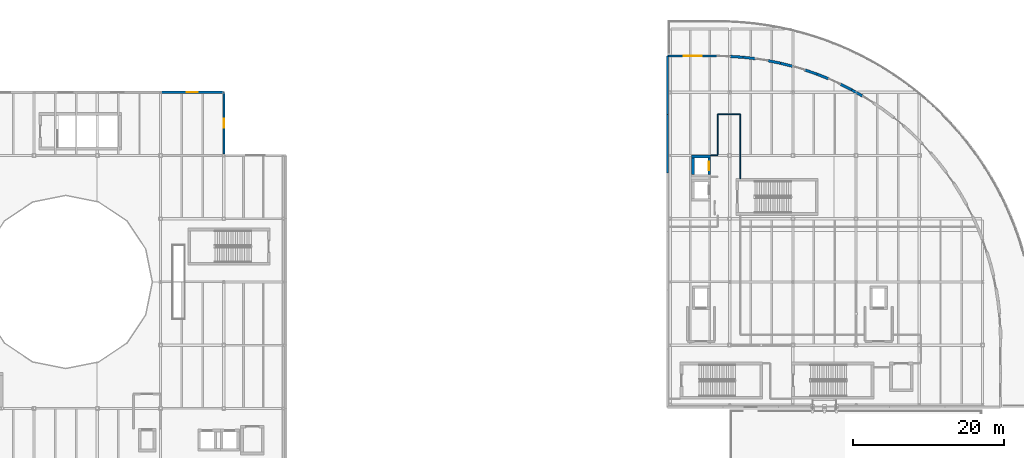
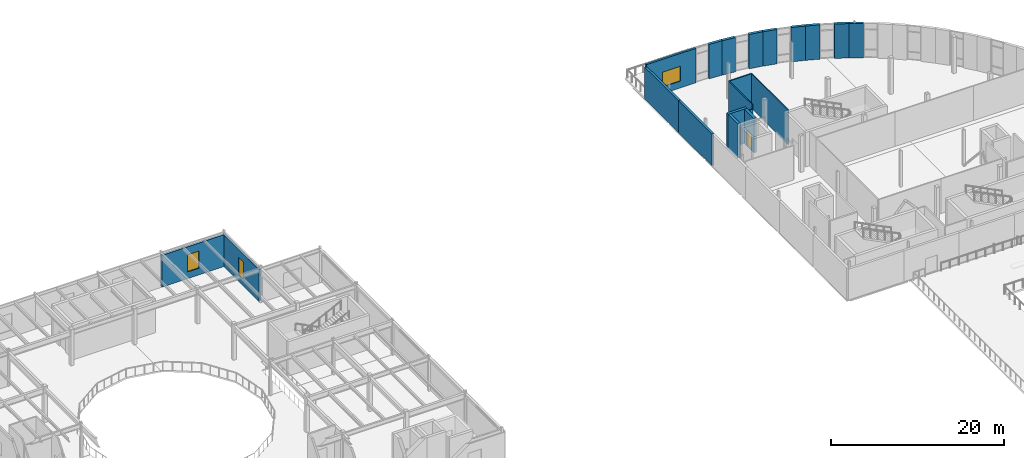
# One storey, part 36 of 57: 20 walls, 3 windows, 1 door, 4 openings.
"""IFC4 building model written with IfcOpenShell, lengths in metres."""

from ifc_helpers import new_model, si_unit, direction, frame, frame_2d, origin, place, context, subcontext, project, spatial, rectangle, extrude, material, layer, layer_set, type_object, element, fill, save


model = new_model("IFC4")

# Units and contexts
model_context = context("Model", 3, precision=1e-05, world=origin(), true_north=direction((0.0, 1.0)))
body_context = subcontext(model_context, "Body", "Model", "MODEL_VIEW")
ifc_project = project(units=[si_unit("LENGTHUNIT", "METRE"), si_unit("AREAUNIT", "SQUARE_METRE"), si_unit("VOLUMEUNIT", "CUBIC_METRE"), si_unit("PLANEANGLEUNIT", "RADIAN"), si_unit("MASSUNIT", "GRAM", prefix="KILO"), si_unit("THERMODYNAMICTEMPERATUREUNIT", "KELVIN")], contexts=[model_context])

# Site, building, storey
site_placement = place(None, origin())
site = spatial("IfcSite", under=ifc_project, at=site_placement, CompositionType="ELEMENT")
building_placement = place(site_placement, origin())
building = spatial("IfcBuilding", under=site, at=building_placement, Name="Lustrewick Department Store", CompositionType="ELEMENT")
storey_placement = place(building_placement, frame((0.0, 0.0, 26.699951171875)))
storey = spatial("IfcBuildingStorey", under=building, at=storey_placement, Name="L06", CompositionType="ELEMENT", Elevation=26.699951171875)

# Wall, opening, window
ifc_material_1 = material(Name="Precast concrete C40", Category="concrete")
ifc_layer_1 = layer(ifc_material_1, 0.260009765625, Name="Precast concrete C40")
ifc_layer_set_1 = layer_set([ifc_layer_1], Name="Precast concrete C40")
wall_type_1 = type_object("IfcWallType", Name="EW02", PredefinedType="STANDARD", material=ifc_layer_set_1)
wall_1_placement = place(storey_placement, frame((50.39990234375, 84.173095703125, 0.0), z_axis=(0.0, 0.0, 1.0), x_axis=(0.0, 1.0, 0.0)))
wall_1 = element("IfcWall", 1, at=wall_1_placement, inside=storey, type_object=wall_type_1, Name="L06 V1 Exterior Wall EW02", PredefinedType="STANDARD", context=body_context, shape_type="SweptSolid", body=[
    extrude(rectangle(XDim=8.226806640625, YDim=0.260009765625, at=frame_2d((4.11328125, 0.0))), origin(), (0.0, 0.0, 1.0), 4.487060546875),
])
opening_1_placement = place(wall_1_placement, frame((3.513427734375, 0.0, 0.949951171875)))
opening_1 = element("IfcOpeningElement", 2, at=opening_1_placement, cuts=wall_1, Name="Opening WN13", PredefinedType="OPENING", context=body_context, shape_type="SweptSolid", body=[
    extrude(rectangle(XDim=1.199951171875, YDim=2.39990234375, at=frame_2d((0.60009765625, 1.199951171875))), frame((0.0, 0.14013671875, 0.0), z_axis=(0.0, -1.0, 0.0), x_axis=(1.0, 0.0, 0.0)), (0.0, 0.0, 1.0), 0.280029296875),
])
ifc_material_2 = material(Name="Thermally broken Low-E triple-glazed window", Category="glass")
window_type_1 = type_object("IfcWindowType", Name="WN13", PartitioningType="DOUBLE_PANEL_VERTICAL", PredefinedType="WINDOW", material=ifc_material_2)
window_1_placement = place(opening_1_placement, origin())
window_1 = element("IfcWindow", 3, at=window_1_placement, inside=storey, type_object=window_type_1, Name="L06 Art Nouveau Window WN13", OverallHeight=2.39990234375, OverallWidth=1.199951171875, PartitioningType="SINGLE_PANEL", PredefinedType="WINDOW", context=body_context, shape_type="SweptSolid", body=[
    extrude(rectangle(XDim=1.199951171875, YDim=2.39990234375, at=frame_2d((0.60009765625, 1.199951171875))), frame((0.0, 0.030029296875, 0.0), z_axis=(0.0, -1.0, 0.0), x_axis=(1.0, 0.0, 0.0)), (0.0, 0.0, 1.0), 0.06005859375),
])
fill(opening_1, window_1)

wall_2_placement = place(storey_placement, frame((116.0, 97.199951171875, 0.0), z_axis=(0.0, 0.0, 1.0), x_axis=(-1.0, 0.0, 0.0)))
wall_2 = element("IfcWall", 4, at=wall_2_placement, inside=storey, type_object=wall_type_1, Name="L06 V4 Exterior Wall EW02", PredefinedType="STANDARD", context=body_context, shape_type="SweptSolid", body=[
    extrude(rectangle(XDim=6.64990234375, YDim=0.260009765625, at=frame_2d((3.324951171875, 0.0))), origin(), (0.0, 0.0, 1.0), 4.844970703125),
])
opening_2_placement = place(wall_2_placement, frame((2.125, 0.0, 0.949951171875)))
opening_2 = element("IfcOpeningElement", 5, at=opening_2_placement, cuts=wall_2, Name="Opening WN12", PredefinedType="OPENING", context=body_context, shape_type="SweptSolid", body=[
    extrude(rectangle(XDim=2.39990234375, YDim=2.10009765625, at=frame_2d((1.199951171875, 1.050048828125))), frame((0.0, 0.14013671875, 0.0), z_axis=(0.0, -1.0, 0.0), x_axis=(1.0, 0.0, 0.0)), (0.0, 0.0, 1.0), 0.280029296875),
])
window_type_2 = type_object("IfcWindowType", Name="WN12", PartitioningType="DOUBLE_PANEL_VERTICAL", PredefinedType="WINDOW", material=ifc_material_2)
window_2_placement = place(opening_2_placement, origin())
window_2 = element("IfcWindow", 6, at=window_2_placement, inside=storey, type_object=window_type_2, Name="L06 Art Nouveau Window WN12", OverallHeight=2.10009765625, OverallWidth=2.39990234375, PartitioningType="SINGLE_PANEL", PredefinedType="WINDOW", context=body_context, shape_type="SweptSolid", body=[
    extrude(rectangle(XDim=2.39990234375, YDim=2.10009765625, at=frame_2d((1.199951171875, 1.050048828125))), frame((0.0, 0.030029296875, 0.0), z_axis=(0.0, -1.0, 0.0), x_axis=(1.0, 0.0, 0.0)), (0.0, 0.0, 1.0), 0.06005859375),
])
fill(opening_2, window_2)

ifc_layer_2 = layer(ifc_material_1, 0.280029296875, Name="Precast concrete C40")
ifc_layer_set_2 = layer_set([ifc_layer_2], Name="Precast concrete C40")
wall_type_2 = type_object("IfcWallType", Name="EW03", PredefinedType="STANDARD", material=ifc_layer_set_2)
wall_3_placement = place(storey_placement, frame((50.39990234375, 92.39990234375, 0.0), z_axis=(0.0, 0.0, 1.0), x_axis=(-1.0, 0.0, 0.0)))
wall_3 = element("IfcWall", 7, at=wall_3_placement, inside=storey, type_object=wall_type_2, Name="L06 V1 Exterior Wall EW03", PredefinedType="STANDARD", context=body_context, shape_type="SweptSolid", body=[
    extrude(rectangle(XDim=8.39990234375, YDim=0.280029296875, at=frame_2d((4.199951171875, 0.0))), origin(), (0.0, 0.0, 1.0), 4.487060546875),
])
opening_3_placement = place(wall_3_placement, frame((3.449951171875, 0.0, 0.949951171875)))
opening_3 = element("IfcOpeningElement", 8, at=opening_3_placement, cuts=wall_3, Name="Opening WN14", PredefinedType="OPENING", context=body_context, shape_type="SweptSolid", body=[
    extrude(rectangle(XDim=1.5, YDim=2.39990234375, at=frame_2d((0.75, 1.199951171875))), frame((0.0, 0.14990234375, 0.0), z_axis=(0.0, -1.0, 0.0), x_axis=(1.0, 0.0, 0.0)), (0.0, 0.0, 1.0), 0.300048828125),
])
window_type_3 = type_object("IfcWindowType", Name="WN14", PartitioningType="DOUBLE_PANEL_VERTICAL", PredefinedType="WINDOW", material=ifc_material_2)
window_3_placement = place(opening_3_placement, origin())
window_3 = element("IfcWindow", 9, at=window_3_placement, inside=storey, type_object=window_type_3, Name="L06 Art Nouveau Window WN14", OverallHeight=2.39990234375, OverallWidth=1.5, PartitioningType="SINGLE_PANEL", PredefinedType="WINDOW", context=body_context, shape_type="SweptSolid", body=[
    extrude(rectangle(XDim=1.5, YDim=2.39990234375, at=frame_2d((0.75, 1.199951171875))), frame((0.0, 0.030029296875, 0.0), z_axis=(0.0, -1.0, 0.0), x_axis=(1.0, 0.0, 0.0)), (0.0, 0.0, 1.0), 0.06005859375),
])
fill(opening_3, window_3)

# Walls
ifc_layer_3 = layer(ifc_material_1, 0.300048828125, Name="Precast concrete C40")
ifc_layer_set_3 = layer_set([ifc_layer_3], Name="Precast concrete C40")
wall_type_3 = type_object("IfcWallType", Name="EW04", PredefinedType="STANDARD", material=ifc_layer_set_3)
wall_4_placement = place(storey_placement, frame((109.35009765625, 97.199951171875, 0.0), z_axis=(0.0, 0.0, 1.0), x_axis=(0.0, -1.0, 0.0)))
element("IfcWall", 10, at=wall_4_placement, inside=storey, type_object=wall_type_3, Name="L06 V4 Exterior Wall EW04", PredefinedType="STANDARD", context=body_context, shape_type="SweptSolid", body=[
    extrude(rectangle(XDim=7.77490234375, YDim=0.300048828125, at=frame_2d((3.887451171875, 0.0))), origin(), (0.0, 0.0, 1.0), 4.487060546875),
])
wall_5_placement = place(storey_placement, frame((109.35009765625, 89.425048828125, 0.0), z_axis=(0.0, 0.0, 1.0), x_axis=(0.0, -1.0, 0.0)))
element("IfcWall", 11, at=wall_5_placement, inside=storey, type_object=wall_type_3, Name="L06 V4 Exterior Wall EW04", PredefinedType="STANDARD", context=body_context, shape_type="SweptSolid", body=[
    extrude(rectangle(XDim=7.775146484375, YDim=0.300048828125, at=frame_2d((3.8876953125, 0.0))), origin(), (0.0, 0.0, 1.0), 4.487060546875),
])
ifc_layer_4 = layer(ifc_material_1, 0.35009765625, Name="Precast concrete C40")
ifc_layer_set_4 = layer_set([ifc_layer_4], Name="Precast concrete C40")
wall_type_4 = type_object("IfcWallType", Name="EW06", PredefinedType="STANDARD", material=ifc_layer_set_4)
for number, where, z_axis, x_axis, name in (
    (12, (135.284912109375, 91.877685546875, 0.0), (0.0, 0.0, 1.0), (-0.86972620146, 0.493534532221, 0.0), "L06 V4 Exterior Wall EW06"),
    (13, (133.8173828125, 92.71044921875, 0.0), (0.0, 0.0, 1.0), (-0.891045018024, 0.453914943414, 0.0), "L06 V4 Exterior Wall EW06"),
    (14, (130.777587890625, 94.17431640625, 0.0), (0.0, 0.0, 1.0), (-0.928106997061, 0.372313580206, 0.0), "L06 V4 Exterior Wall EW06"),
):
    element("IfcWall", number, at=place(storey_placement, frame(where, z_axis=z_axis, x_axis=x_axis)), inside=storey, type_object=wall_type_4, Name=name, PredefinedType="STANDARD", context=body_context, shape_type="SweptSolid", body=[
        extrude(rectangle(XDim=1.687255859375, YDim=0.35009765625, at=frame_2d((0.84375, 0.0))), origin(), (0.0, 0.0, 1.0), 4.844970703125),
    ])
for number, where, z_axis, x_axis, name in (
    (15, (129.211669921875, 94.802490234375, 0.0), (0.0, 0.0, 1.0), (-0.943921497594, 0.330169965897, 0.0), "L06 V4 Exterior Wall EW06"),
    (16, (126.0029296875, 95.844970703125, 0.0), (0.0, 0.0, 1.0), (-0.969681169627, 0.244373544539, 0.0), "L06 V4 Exterior Wall EW06"),
):
    element("IfcWall", number, at=place(storey_placement, frame(where, z_axis=z_axis, x_axis=x_axis)), inside=storey, type_object=wall_type_4, Name=name, PredefinedType="STANDARD", context=body_context, shape_type="SweptSolid", body=[
        extrude(rectangle(XDim=1.6875, YDim=0.35009765625, at=frame_2d((0.84375, 0.0))), origin(), (0.0, 0.0, 1.0), 4.844970703125),
    ])
for number, where, z_axis, x_axis, name in (
    (17, (124.36669921875, 96.25732421875, 0.0), (0.0, 0.0, 1.0), (-0.979685869511, 0.200538268371, 0.0), "L06 V4 Exterior Wall EW06"),
    (18, (121.047119140625, 96.859619140625, 0.0), (0.0, 0.0, 1.0), (-0.993709597753, 0.111987657056, 0.0), "L06 V4 Exterior Wall EW06"),
    (19, (119.370361328125, 97.048583984375, 0.0), (0.0, 0.0, 1.0), (-0.997733639396, 0.067287330286, 0.0), "L06 V4 Exterior Wall EW06"),
):
    element("IfcWall", number, at=place(storey_placement, frame(where, z_axis=z_axis, x_axis=x_axis)), inside=storey, type_object=wall_type_4, Name=name, PredefinedType="STANDARD", context=body_context, shape_type="SweptSolid", body=[
        extrude(rectangle(XDim=1.687255859375, YDim=0.35009765625, at=frame_2d((0.84375, 0.0))), origin(), (0.0, 0.0, 1.0), 4.844970703125),
    ])
ifc_material_3 = material(Name="Acoustic gypsum stud corridor partition", Category="gypsum")
ifc_layer_5 = layer(ifc_material_3, 0.135009765625, Name="Acoustic gypsum stud corridor partition")
ifc_layer_set_5 = layer_set([ifc_layer_5], Name="Acoustic gypsum stud corridor partition")
wall_type_5 = type_object("IfcWallType", Name="PW06", PredefinedType="PARTITIONING", material=ifc_layer_set_5)
wall_6_placement = place(storey_placement, frame((115.06005859375, 84.010009765625, 0.0), z_axis=(0.0, 0.0, 1.0), x_axis=(1.0, 0.0, 0.0)))
element("IfcWall", 20, at=wall_6_placement, inside=storey, type_object=wall_type_5, Name="L06 Store Administration Office PW06", PredefinedType="PARTITIONING", context=body_context, shape_type="SweptSolid", body=[
    extrude(rectangle(XDim=0.929931640625, YDim=0.135009765625, at=frame_2d((0.46484375, 0.0))), origin(), (0.0, 0.0, 1.0), 4.237060546875),
])
wall_7_placement = place(storey_placement, frame((119.010009765625, 89.5, 0.0), z_axis=(0.0, 0.0, 1.0), x_axis=(0.0, -1.0, 0.0)))
element("IfcWall", 21, at=wall_7_placement, inside=storey, type_object=wall_type_5, Name="L06 Store Administration Office PW06", PredefinedType="PARTITIONING", context=body_context, shape_type="SweptSolid", body=[
    extrude(rectangle(XDim=8.56494140625, YDim=0.135009765625, at=frame_2d((4.282470703125, 0.0))), origin(), (0.0, 0.0, 1.0), 4.844970703125),
])
wall_8_placement = place(storey_placement, frame((115.989990234375, 84.072509765625, 0.0), z_axis=(0.0, 0.0, 1.0), x_axis=(0.0, 1.0, 0.0)))
element("IfcWall", 22, at=wall_8_placement, inside=storey, type_object=wall_type_5, Name="L06 Store Administration Office PW06", PredefinedType="PARTITIONING", context=body_context, shape_type="SweptSolid", body=[
    extrude(rectangle(XDim=5.427490234375, YDim=0.135009765625, at=frame_2d((2.7138671875, 0.0))), origin(), (0.0, 0.0, 1.0), 4.844970703125),
])
wall_9_placement = place(storey_placement, frame((116.0, 89.510009765625, 0.0), z_axis=(0.0, 0.0, 1.0), x_axis=(1.0, 0.0, 0.0)))
element("IfcWall", 23, at=wall_9_placement, inside=storey, type_object=wall_type_5, Name="L06 Store Administration Office PW06", PredefinedType="PARTITIONING", context=body_context, shape_type="SweptSolid", body=[
    extrude(rectangle(XDim=3.0, YDim=0.135009765625, at=frame_2d((1.5, 0.0))), origin(), (0.0, 0.0, 1.0), 4.844970703125),
])

# Wall, opening, door
ifc_material_4 = material(Name="Concrete C40", Category="concrete")
ifc_layer_6 = layer(ifc_material_4, 0.360107421875, Name="Concrete C40")
ifc_layer_set_6 = layer_set([ifc_layer_6], Name="Concrete C40")
wall_type_6 = type_object("IfcWallType", Name="SW04", PredefinedType="SHEAR", material=ifc_layer_set_6)
wall_10_placement = place(storey_placement, frame((114.8798828125, 81.5, 0.0), z_axis=(0.0, 0.0, 1.0), x_axis=(0.0, 1.0, 0.0)))
wall_10 = element("IfcWall", 24, at=wall_10_placement, inside=storey, type_object=wall_type_6, Name="L06 Lift PL-08 Shaft Wall +X", PredefinedType="SHEAR", context=body_context, shape_type="SweptSolid", body=[
    extrude(rectangle(XDim=2.199951171875, YDim=0.360107421875, at=frame_2d((1.10009765625, 0.0))), origin(), (0.0, 0.0, 1.0), 4.844970703125),
])
opening_4_placement = place(wall_10_placement, frame((0.52490234375, 0.0, 0.0)))
opening_4 = element("IfcOpeningElement", 25, at=opening_4_placement, cuts=wall_10, Name="Opening LD-L06-07", PredefinedType="OPENING", context=body_context, shape_type="SweptSolid", body=[
    extrude(rectangle(XDim=1.14990234375, YDim=2.199951171875, at=frame_2d((0.574951171875, 1.10009765625))), frame((0.0, 0.18994140625, 0.0), z_axis=(0.0, -1.0, 0.0), x_axis=(1.0, 0.0, 0.0)), (0.0, 0.0, 1.0), 0.380126953125),
])
ifc_material_5 = material(Name="Brushed bronze passenger lift landing door EI 60", Category="steel")
door_type = type_object("IfcDoorType", Name="DT-16", OperationType="NOTDEFINED", PredefinedType="DOOR", material=ifc_material_5)
door_placement = place(opening_4_placement, frame((1.14990234375, 0.0, 0.0), z_axis=(0.0, 0.0, 1.0), x_axis=(-1.0, 0.0, 0.0)))
door = element("IfcDoor", 26, at=door_placement, inside=storey, type_object=door_type, Name="L06 Lift PL-08 Sliding Landing Door LD-L06-07", OperationType="DOUBLE_DOOR_SLIDING", OverallHeight=2.199951171875, OverallWidth=1.14990234375, PredefinedType="DOOR", context=body_context, shape_type="SweptSolid", body=[
    extrude(rectangle(XDim=1.14990234375, YDim=2.199951171875, at=frame_2d((0.574951171875, 1.10009765625))), frame((0.0, 0.02490234375, 0.0), z_axis=(0.0, -1.0, 0.0), x_axis=(1.0, 0.0, 0.0)), (0.0, 0.0, 1.0), 0.050048828125),
])
fill(opening_4, door)

# Walls
wall_11_placement = place(storey_placement, frame((115.06005859375, 83.8798828125, 0.0), z_axis=(0.0, 0.0, 1.0), x_axis=(-1.0, 0.0, 0.0)))
element("IfcWall", 27, at=wall_11_placement, inside=storey, type_object=wall_type_6, Name="L06 Lift PL-08 Shaft Wall +Y", PredefinedType="SHEAR", context=body_context, shape_type="SweptSolid", body=[
    extrude(rectangle(XDim=2.52001953125, YDim=0.360107421875, at=frame_2d((1.260009765625, 0.0))), origin(), (0.0, 0.0, 1.0), 4.844970703125),
])
wall_12_placement = place(storey_placement, frame((112.719970703125, 83.699951171875, 0.0), z_axis=(0.0, 0.0, 1.0), x_axis=(0.0, -1.0, 0.0)))
element("IfcWall", 28, at=wall_12_placement, inside=storey, type_object=wall_type_6, Name="L06 Lift PL-08 Shaft Wall -X", PredefinedType="SHEAR", context=body_context, shape_type="SweptSolid", body=[
    extrude(rectangle(XDim=2.199951171875, YDim=0.360107421875, at=frame_2d((1.10009765625, 0.0))), origin(), (0.0, 0.0, 1.0), 4.844970703125),
])

save(model, "model.ifc")
